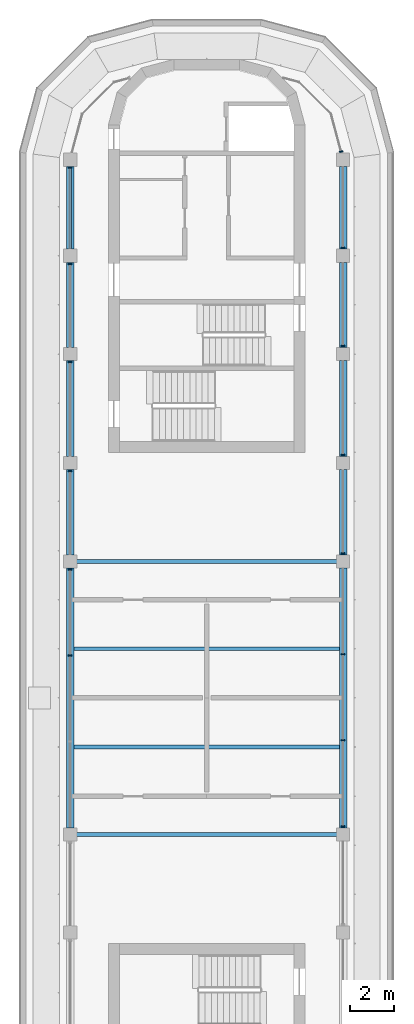
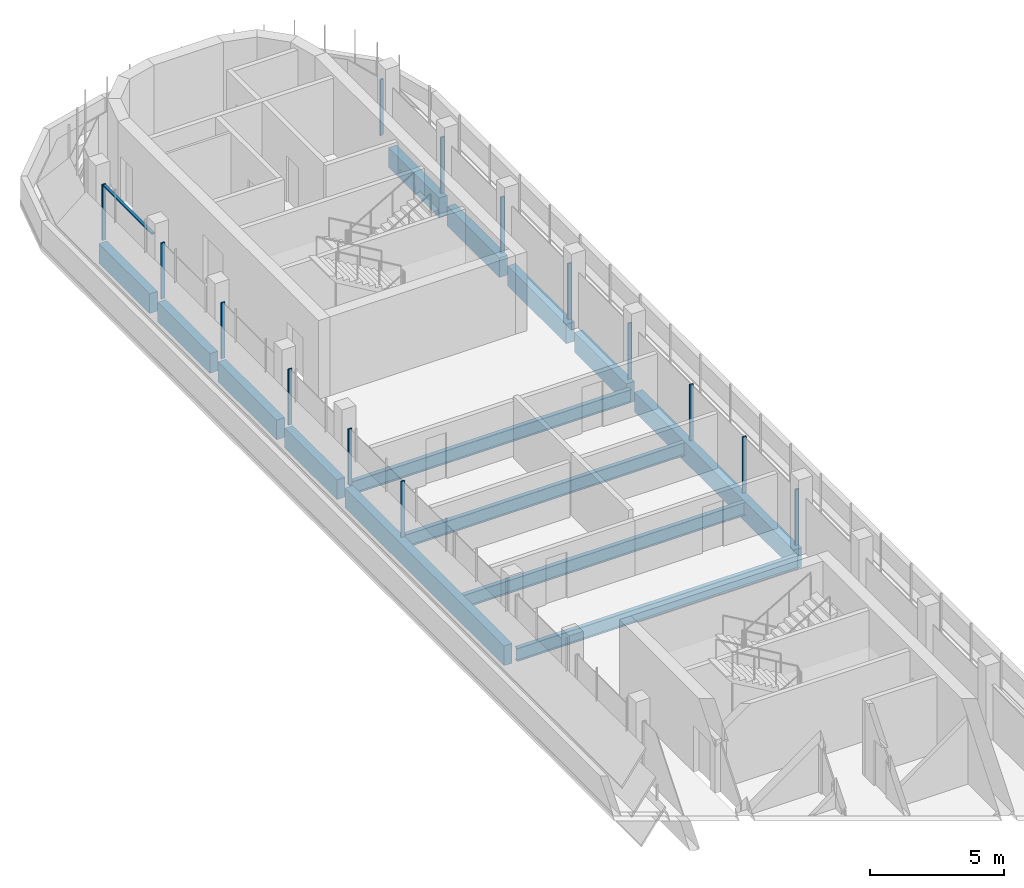
# One storey, part 3 of 12: 15 members, 14 beams, 3 elements without a shape of their own.
"""IFC4 building model written with IfcOpenShell, lengths in metres."""

from ifc_helpers import new_model, si_unit, direction, frame, origin, origin_2d, place, context, subcontext, project, spatial, polyline, rectangle, i_section, outline, extrude, source, transform, mapped, material, material_profile, profile_set, type_object, element, aggregate, save


model = new_model("IFC4")

# Units and contexts
model_context = context("Model", 3, precision=1e-05, world=origin(), true_north=direction((0.0, 1.0)))
body_context = subcontext(model_context, "Body", "Model", "MODEL_VIEW")
ifc_project = project(units=[si_unit("LENGTHUNIT", "METRE"), si_unit("AREAUNIT", "SQUARE_METRE"), si_unit("VOLUMEUNIT", "CUBIC_METRE"), si_unit("PLANEANGLEUNIT", "RADIAN"), si_unit("MASSUNIT", "GRAM", prefix="KILO")], contexts=[model_context])

# Site, building, storey
site_placement = place(None, origin())
site = spatial("IfcSite", under=ifc_project, at=site_placement, CompositionType="ELEMENT")
building_placement = place(site_placement, origin())
building = spatial("IfcBuilding", under=site, at=building_placement, Name="Zarbagh Exchange Tower", CompositionType="ELEMENT")
storey_placement = place(building_placement, frame((0.0, 0.0, 309.60009765625)))
storey = spatial("IfcBuildingStorey", under=building, at=storey_placement, Name="L76", CompositionType="ELEMENT", Elevation=309.60009765625)

# Beams
ifc_material_1 = material(Name="Steel ASTM A992 Gr 50", Category="steel")
ifc_material_profile_1 = material_profile(ifc_material_1, i_section(OverallWidth=0.1787109375, OverallDepth=0.60205078125, WebThickness=0.010986328125, FlangeThickness=0.014892578125, at=origin_2d()), Name="W24X62")
ifc_profile_set_1 = profile_set([ifc_material_profile_1], Name="Steel ASTM A992 Gr 50")
beam_type_1 = type_object("IfcBeamType", Name="Floor beam W24X62", PredefinedType="BEAM", material=ifc_profile_set_1)
for number, where, z_axis, x_axis, name in (
    (1, (-6.074951171875, -6.25, -0.451171875), (1.0, 0.0, 0.0), (0.0, 1.0, 0.0), "Steel floor beam"),
    (2, (-6.074951171875, -2.25, -0.451171875), (1.0, 0.0, 0.0), (0.0, 1.0, 0.0), "Steel floor beam"),
    (3, (-6.074951171875, 2.25, -0.451171875), (1.0, 0.0, 0.0), (0.0, 1.0, 0.0), "Steel floor beam"),
    (4, (-6.074951171875, 6.25, -0.451171875), (1.0, 0.0, 0.0), (0.0, 1.0, 0.0), "Steel floor beam"),
):
    element("IfcBeam", number, at=place(storey_placement, frame(where, z_axis=z_axis, x_axis=x_axis)), inside=storey, type_object=beam_type_1, Name=name, PredefinedType="BEAM", context=body_context, shape_type="SweptSolid", body=[
        extrude(i_section(OverallWidth=0.1787109375, OverallDepth=0.60205078125, WebThickness=0.010986328125, FlangeThickness=0.014892578125, at=origin_2d()), origin(), (0.0, 0.0, 1.0), 12.14990234375),
    ])
ifc_material_2 = material(Name="Concrete C40/50", Category="concrete")
ifc_material_profile_2 = material_profile(ifc_material_2, rectangle(XDim=0.35009765625, YDim=0.89990234375, at=origin_2d()), Name="RC spandrel beam 350 x 900 C40/50")
ifc_profile_set_2 = profile_set([ifc_material_profile_2], Name="Concrete C40/50")
beam_type_2 = type_object("IfcBeamType", Name="RC spandrel beam 350 x 900 C40/50", PredefinedType="SPANDREL", material=ifc_profile_set_2)
beam_1_placement = place(storey_placement, frame((-6.25, -5.949951171875, -0.60009765625), z_axis=(0.0, 1.0, 0.0), x_axis=(-1.0, 0.0, 0.0)))
element("IfcBeam", 5, at=beam_1_placement, inside=storey, type_object=beam_type_2, Name="RC spandrel beam", PredefinedType="SPANDREL", context=body_context, shape_type="SweptSolid", body=[
    extrude(rectangle(XDim=0.35009765625, YDim=0.89990234375, at=origin_2d()), origin(), (0.0, 0.0, 1.0), 11.89990234375),
])
beam_2_placement = place(storey_placement, frame((-6.25, 6.550048828125, -0.60009765625), z_axis=(0.0, 1.0, 0.0), x_axis=(-1.0, 0.0, 0.0)))
element("IfcBeam", 6, at=beam_2_placement, inside=storey, type_object=beam_type_2, Name="RC spandrel beam", PredefinedType="SPANDREL", context=body_context, shape_type="SweptSolid", body=[
    extrude(rectangle(XDim=0.35009765625, YDim=0.89990234375, at=origin_2d()), origin(), (0.0, 0.0, 1.0), 3.89990234375),
])
beam_3_placement = place(storey_placement, frame((-6.25, 11.050048828125, -0.60009765625), z_axis=(0.0, 1.0, 0.0), x_axis=(-1.0, 0.0, 0.0)))
element("IfcBeam", 7, at=beam_3_placement, inside=storey, type_object=beam_type_2, Name="RC spandrel beam", PredefinedType="SPANDREL", context=body_context, shape_type="SweptSolid", body=[
    extrude(rectangle(XDim=0.35009765625, YDim=0.89990234375, at=origin_2d()), origin(), (0.0, 0.0, 1.0), 4.39990234375),
])
beam_4_placement = place(storey_placement, frame((-6.25, 16.050048828125, -0.60009765625), z_axis=(0.0, 1.0, 0.0), x_axis=(-1.0, 0.0, 0.0)))
element("IfcBeam", 8, at=beam_4_placement, inside=storey, type_object=beam_type_2, Name="RC spandrel beam", PredefinedType="SPANDREL", context=body_context, shape_type="SweptSolid", body=[
    extrude(rectangle(XDim=0.35009765625, YDim=0.89990234375, at=origin_2d()), origin(), (0.0, 0.0, 1.0), 3.89990234375),
])
for number, where, z_axis, x_axis, name in (
    (9, (-6.25, 20.550048828125, -0.60009765625), (0.0, 1.0, 0.0), (-1.0, 0.0, 0.0), "RC spandrel beam"),
    (10, (6.25, 24.35009765625, -0.60009765625), (0.0, -1.0, 0.0), (1.0, 0.0, 0.0), "RC spandrel beam"),
):
    element("IfcBeam", number, at=place(storey_placement, frame(where, z_axis=z_axis, x_axis=x_axis)), inside=storey, type_object=beam_type_2, Name=name, PredefinedType="SPANDREL", context=body_context, shape_type="SweptSolid", body=[
        extrude(rectangle(XDim=0.35009765625, YDim=0.89990234375, at=origin_2d()), origin(), (0.0, 0.0, 1.0), 3.800048828125),
    ])
beam_5_placement = place(storey_placement, frame((6.25, 19.949951171875, -0.60009765625), z_axis=(0.0, -1.0, 0.0), x_axis=(1.0, 0.0, 0.0)))
element("IfcBeam", 11, at=beam_5_placement, inside=storey, type_object=beam_type_2, Name="RC spandrel beam", PredefinedType="SPANDREL", context=body_context, shape_type="SweptSolid", body=[
    extrude(rectangle(XDim=0.35009765625, YDim=0.89990234375, at=origin_2d()), origin(), (0.0, 0.0, 1.0), 3.89990234375),
])
beam_6_placement = place(storey_placement, frame((6.25, 15.449951171875, -0.60009765625), z_axis=(0.0, -1.0, 0.0), x_axis=(1.0, 0.0, 0.0)))
element("IfcBeam", 12, at=beam_6_placement, inside=storey, type_object=beam_type_2, Name="RC spandrel beam", PredefinedType="SPANDREL", context=body_context, shape_type="SweptSolid", body=[
    extrude(rectangle(XDim=0.35009765625, YDim=0.89990234375, at=origin_2d()), origin(), (0.0, 0.0, 1.0), 4.39990234375),
])
beam_7_placement = place(storey_placement, frame((6.25, 10.449951171875, -0.60009765625), z_axis=(0.0, -1.0, 0.0), x_axis=(1.0, 0.0, 0.0)))
element("IfcBeam", 13, at=beam_7_placement, inside=storey, type_object=beam_type_2, Name="RC spandrel beam", PredefinedType="SPANDREL", context=body_context, shape_type="SweptSolid", body=[
    extrude(rectangle(XDim=0.35009765625, YDim=0.89990234375, at=origin_2d()), origin(), (0.0, 0.0, 1.0), 3.89990234375),
])
beam_8_placement = place(storey_placement, frame((6.25, 5.949951171875, -0.60009765625), z_axis=(0.0, -1.0, 0.0), x_axis=(1.0, 0.0, 0.0)))
element("IfcBeam", 14, at=beam_8_placement, inside=storey, type_object=beam_type_2, Name="RC spandrel beam", PredefinedType="SPANDREL", context=body_context, shape_type="SweptSolid", body=[
    extrude(rectangle(XDim=0.35009765625, YDim=0.89990234375, at=origin_2d()), origin(), (0.0, 0.0, 1.0), 11.89990234375),
])

# Curtain wall, member
ifc_material_3 = material(Name="Anodised aluminium frame and glazing", Category="aluminium")
curtain_wall_type = type_object("IfcCurtainWallType", Name="CWF Crown tier glazing", PredefinedType="NOTDEFINED", material=ifc_material_3)
curtain_wall_1_placement = place(storey_placement, origin())
curtain_wall_1 = element("IfcCurtainWall", 15, at=curtain_wall_1_placement, inside=storey, type_object=curtain_wall_type, Name="CWF50 curtain wall", PredefinedType="NOTDEFINED")
ifc_material_4 = material(Name="Anodised aluminium frame", Category="aluminium")
member_type_1 = type_object("IfcMemberType", Name="TRF Transom, anodised aluminium frame", PredefinedType="USERDEFINED", material=ifc_material_4)
shared_shape_1 = source(origin(), body_context, "Body", "SweptSolid", [
    extrude(outline(polyline([(-0.06005859375, -0.06005859375), (0.0, -0.06005859375), (0.0, 0.06005859375), (-0.06005859375, 0.06005859375), (-0.06005859375, -0.06005859375)])), origin(), (0.0, 0.0, 1.0), 3.659912109375),
])
placement = place(storey_placement, origin())
member_1 = element("IfcMember", 16, at=placement, type_object=member_type_1, Name="CWF50 transom 1.1", ObjectType="TRANSOM", PredefinedType="USERDEFINED", context=body_context, shape_type="MappedRepresentation", body=[
    mapped(shared_shape_1, transform((-6.25, 24.25, 2.5498046875), x_axis=(0.0, 0.0, 1.0), y_axis=(-1.0, 0.0, 0.0), z_axis=(0.0, -1.0, 0.0))),
])

# Curtain wall, members
curtain_wall_2_placement = place(storey_placement, origin())
curtain_wall_2 = element("IfcCurtainWall", 17, at=curtain_wall_2_placement, inside=storey, type_object=curtain_wall_type, Name="CWF49 curtain wall", PredefinedType="NOTDEFINED")
member_type_2 = type_object("IfcMemberType", Name="MUF Mullion, anodised aluminium frame", PredefinedType="MULLION", material=ifc_material_4)
shared_shape_2 = source(origin(), body_context, "Body", "SweptSolid", [
    extrude(outline(polyline([(0.0, -0.080078125), (0.06005859375, -0.080078125), (0.06005859375, 0.080078125), (0.0, 0.080078125), (0.0, -0.080078125)])), origin(), (0.0, 0.0, 1.0), 2.550048828125),
])
member_2 = element("IfcMember", 18, at=placement, type_object=member_type_2, Name="CWF49 mullion 5.1", PredefinedType="MULLION", context=body_context, shape_type="MappedRepresentation", body=[
    mapped(shared_shape_2, transform((6.25, -5.909912109375, 0.0), x_axis=(0.0, 1.0, 0.0), y_axis=(-1.0, 0.0, 0.0), z_axis=(0.0, 0.0, 1.0))),
])
member_3 = element("IfcMember", 19, at=placement, type_object=member_type_2, Name="CWF49 mullion 5.2", PredefinedType="MULLION", context=body_context, shape_type="MappedRepresentation", body=[
    mapped(shared_shape_2, transform((6.25, -1.969970703125, 0.0), x_axis=(0.0, 1.0, 0.0), y_axis=(-1.0, 0.0, 0.0), z_axis=(0.0, 0.0, 1.0))),
])
member_4 = element("IfcMember", 20, at=placement, type_object=member_type_2, Name="CWF49 mullion 5.3", PredefinedType="MULLION", context=body_context, shape_type="MappedRepresentation", body=[
    mapped(shared_shape_2, transform((6.25, 1.969970703125, 0.0), x_axis=(0.0, 1.0, 0.0), y_axis=(-1.0, 0.0, 0.0), z_axis=(0.0, 0.0, 1.0))),
])
member_5 = element("IfcMember", 21, at=placement, type_object=member_type_2, Name="CWF49 mullion 6.1", PredefinedType="MULLION", context=body_context, shape_type="MappedRepresentation", body=[
    mapped(shared_shape_2, transform((6.25, 6.590087890625, 0.0), x_axis=(0.0, 1.0, 0.0), y_axis=(-1.0, 0.0, 0.0), z_axis=(0.0, 0.0, 1.0))),
])
member_6 = element("IfcMember", 22, at=placement, type_object=member_type_2, Name="CWF49 mullion 7.1", PredefinedType="MULLION", context=body_context, shape_type="MappedRepresentation", body=[
    mapped(shared_shape_2, transform((6.25, 11.090087890625, 0.0), x_axis=(0.0, 1.0, 0.0), y_axis=(-1.0, 0.0, 0.0), z_axis=(0.0, 0.0, 1.0))),
])
member_7 = element("IfcMember", 23, at=placement, type_object=member_type_2, Name="CWF49 mullion 8.1", PredefinedType="MULLION", context=body_context, shape_type="MappedRepresentation", body=[
    mapped(shared_shape_2, transform((6.25, 16.090087890625, 0.0), x_axis=(0.0, 1.0, 0.0), y_axis=(-1.0, 0.0, 0.0), z_axis=(0.0, 0.0, 1.0))),
])
member_8 = element("IfcMember", 24, at=placement, type_object=member_type_2, Name="CWF49 mullion 9.1", PredefinedType="MULLION", context=body_context, shape_type="MappedRepresentation", body=[
    mapped(shared_shape_2, transform((6.25, 20.590087890625, 0.0), x_axis=(0.0, 1.0, 0.0), y_axis=(-1.0, 0.0, 0.0), z_axis=(0.0, 0.0, 1.0))),
])
aggregate(curtain_wall_2, [member_2, member_3, member_4, member_5, member_6, member_7, member_8])

# Curtain wall, member
curtain_wall_3_placement = place(storey_placement, origin())
curtain_wall_3 = element("IfcCurtainWall", 25, at=curtain_wall_3_placement, inside=storey, type_object=curtain_wall_type, Name="CWF21 curtain wall", PredefinedType="NOTDEFINED")
member_9 = element("IfcMember", 26, at=placement, type_object=member_type_2, Name="CWF21 mullion 1.1", PredefinedType="MULLION", context=body_context, shape_type="MappedRepresentation", body=[
    mapped(shared_shape_2, transform((6.16796875, 24.989990234375, 0.0), x_axis=(-0.258824779902, 0.965924289636, 0.0), y_axis=(-0.965924289636, -0.258824779902, 0.0), z_axis=(0.0, 0.0, 1.0))),
])
aggregate(curtain_wall_3, [member_9])

# Member
member_10 = element("IfcMember", 27, at=placement, type_object=member_type_2, Name="CWF50 mullion 1.1", PredefinedType="MULLION", context=body_context, shape_type="MappedRepresentation", body=[
    mapped(shared_shape_2, transform((-6.25, 24.31005859375, 0.0), x_axis=(0.0, -1.0, 0.0), y_axis=(1.0, 0.0, 0.0), z_axis=(0.0, 0.0, 1.0))),
])

member_11 = element("IfcMember", 28, at=placement, type_object=member_type_2, Name="CWF50 mullion 2.1", PredefinedType="MULLION", context=body_context, shape_type="MappedRepresentation", body=[
    mapped(shared_shape_2, transform((-6.25, 19.909912109375, 0.0), x_axis=(0.0, -1.0, 0.0), y_axis=(1.0, 0.0, 0.0), z_axis=(0.0, 0.0, 1.0))),
])

member_12 = element("IfcMember", 29, at=placement, type_object=member_type_2, Name="CWF50 mullion 3.1", PredefinedType="MULLION", context=body_context, shape_type="MappedRepresentation", body=[
    mapped(shared_shape_2, transform((-6.25, 15.409912109375, 0.0), x_axis=(0.0, -1.0, 0.0), y_axis=(1.0, 0.0, 0.0), z_axis=(0.0, 0.0, 1.0))),
])

member_13 = element("IfcMember", 30, at=placement, type_object=member_type_2, Name="CWF50 mullion 4.1", PredefinedType="MULLION", context=body_context, shape_type="MappedRepresentation", body=[
    mapped(shared_shape_2, transform((-6.25, 10.409912109375, 0.0), x_axis=(0.0, -1.0, 0.0), y_axis=(1.0, 0.0, 0.0), z_axis=(0.0, 0.0, 1.0))),
])

member_14 = element("IfcMember", 31, at=placement, type_object=member_type_2, Name="CWF50 mullion 5.1", PredefinedType="MULLION", context=body_context, shape_type="MappedRepresentation", body=[
    mapped(shared_shape_2, transform((-6.25, 5.909912109375, 0.0), x_axis=(0.0, -1.0, 0.0), y_axis=(1.0, 0.0, 0.0), z_axis=(0.0, 0.0, 1.0))),
])

member_15 = element("IfcMember", 32, at=placement, type_object=member_type_2, Name="CWF50 mullion 5.2", PredefinedType="MULLION", context=body_context, shape_type="MappedRepresentation", body=[
    mapped(shared_shape_2, transform((-6.25, 1.969970703125, 0.0), x_axis=(0.0, -1.0, 0.0), y_axis=(1.0, 0.0, 0.0), z_axis=(0.0, 0.0, 1.0))),
])

aggregate(curtain_wall_1, [member_10, member_1, member_11, member_12, member_13, member_14, member_15])

save(model, "model.ifc")
